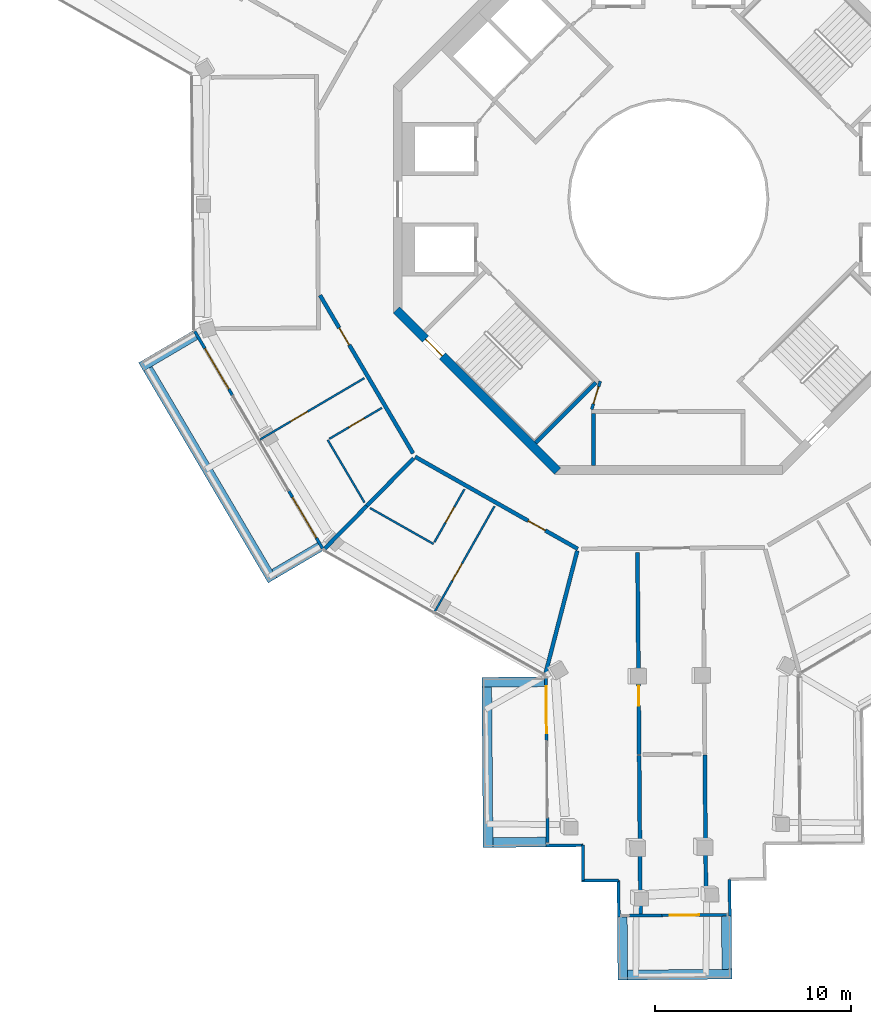
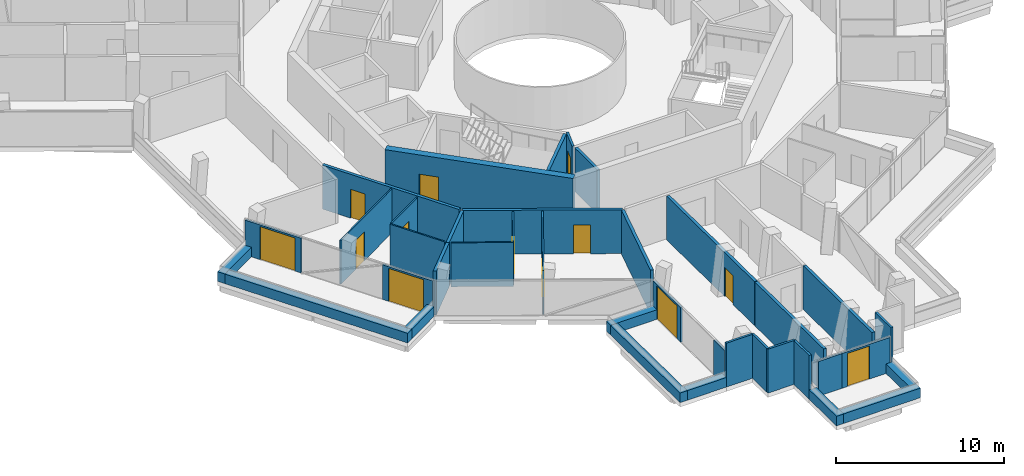
# One storey, part 18 of 26: 38 walls, 13 doors, 13 openings.
"""IFC4 building model written with IfcOpenShell, lengths in metres."""

from ifc_helpers import new_model, si_unit, direction, frame, frame_2d, origin, place, context, subcontext, project, spatial, rectangle, extrude, material, layer, layer_set, type_object, element, fill, save


model = new_model("IFC4")

# Units and contexts
model_context = context("Model", 3, precision=1e-05, world=origin(), true_north=direction((0.0, 1.0)))
body_context = subcontext(model_context, "Body", "Model", "MODEL_VIEW")
ifc_project = project(units=[si_unit("LENGTHUNIT", "METRE"), si_unit("AREAUNIT", "SQUARE_METRE"), si_unit("VOLUMEUNIT", "CUBIC_METRE"), si_unit("PLANEANGLEUNIT", "RADIAN"), si_unit("MASSUNIT", "GRAM", prefix="KILO")], contexts=[model_context])

# Site, building, storey
site_placement = place(None, origin())
site = spatial("IfcSite", under=ifc_project, at=site_placement, CompositionType="ELEMENT")
building_placement = place(site_placement, origin())
building = spatial("IfcBuilding", under=site, at=building_placement, Name="Verdalira Terraces Hotel", CompositionType="ELEMENT")
storey_placement = place(building_placement, frame((0.0, 0.0, 281.0)))
storey = spatial("IfcBuildingStorey", under=building, at=storey_placement, Name="L69", CompositionType="ELEMENT", Elevation=281.0)

# Walls
ifc_material_1 = material(Name="Concrete C40", Category="concrete")
ifc_layer_1 = layer(ifc_material_1, 0.5)
ifc_layer_set_1 = layer_set([ifc_layer_1], Name="Balcony planter trough with tree")
wall_type_1 = type_object("IfcWallType", Name="Balcony planter trough with tree", PredefinedType="SOLIDWALL", material=ifc_layer_set_1)
wall_1_placement = place(storey_placement, frame((-24.077148, -6.918945, 0.0), z_axis=(0.0, 0.0, 1.0), x_axis=(-0.861812548, -0.507226904, 0.0)))
element("IfcWall", 1, at=wall_1_placement, inside=storey, type_object=wall_type_1, Name="Balcony planter", PredefinedType="SOLIDWALL", context=body_context, shape_type="SweptSolid", body=[
    extrude(rectangle(XDim=3.198975, YDim=0.5, at=frame_2d((1.599609, 0.0))), origin(), (0.0, 0.0, 1.0), 0.699951),
])
wall_2_placement = place(storey_placement, frame((-26.491699, -8.630371, 0.0), z_axis=(0.0, 0.0, 1.0), x_axis=(0.507233502, -0.861808665, 0.0)))
element("IfcWall", 2, at=wall_2_placement, inside=storey, type_object=wall_type_1, Name="Balcony planter", PredefinedType="SOLIDWALL", context=body_context, shape_type="SweptSolid", body=[
    extrude(rectangle(XDim=12.499756, YDim=0.5, at=frame_2d((6.25, 0.0))), origin(), (0.0, 0.0, 1.0), 0.699951),
])
wall_3_placement = place(storey_placement, frame((-20.062744, -19.060547, 0.0), z_axis=(0.0, 0.0, 1.0), x_axis=(0.861843515, 0.507174285, 0.0)))
element("IfcWall", 3, at=wall_3_placement, inside=storey, type_object=wall_type_1, Name="Balcony planter", PredefinedType="SOLIDWALL", context=body_context, shape_type="SweptSolid", body=[
    extrude(rectangle(XDim=2.698975, YDim=0.5, at=frame_2d((1.349609, 0.0))), origin(), (0.0, 0.0, 1.0), 0.699951),
])
wall_4_placement = place(storey_placement, frame((-6.29541, -24.562012, 0.0), z_axis=(0.0, 0.0, 1.0), x_axis=(-0.999965401, -0.008318418, 0.0)))
element("IfcWall", 4, at=wall_4_placement, inside=storey, type_object=wall_type_1, Name="Balcony planter", PredefinedType="SOLIDWALL", context=body_context, shape_type="SweptSolid", body=[
    extrude(rectangle(XDim=3.198975, YDim=0.5, at=frame_2d((1.599609, 0.0))), origin(), (0.0, 0.0, 1.0), 0.699951),
])
wall_5_placement = place(storey_placement, frame((-9.242188, -24.83667, 0.0), z_axis=(0.0, 0.0, 1.0), x_axis=(0.008377421, -0.999964909, 0.0)))
element("IfcWall", 5, at=wall_5_placement, inside=storey, type_object=wall_type_1, Name="Balcony planter", PredefinedType="SOLIDWALL", context=body_context, shape_type="SweptSolid", body=[
    extrude(rectangle(XDim=8.159912, YDim=0.5, at=frame_2d((4.080078, 0.0))), origin(), (0.0, 0.0, 1.0), 0.699951),
])
wall_6_placement = place(storey_placement, frame((-8.926025, -32.744385, 0.0), z_axis=(0.0, 0.0, 1.0), x_axis=(0.999964617, 0.008412185, 0.0)))
element("IfcWall", 6, at=wall_6_placement, inside=storey, type_object=wall_type_1, Name="Balcony planter", PredefinedType="SOLIDWALL", context=body_context, shape_type="SweptSolid", body=[
    extrude(rectangle(XDim=2.698975, YDim=0.5, at=frame_2d((1.349609, 0.0))), origin(), (0.0, 0.0, 1.0), 0.699951),
])
wall_7_placement = place(storey_placement, frame((-2.343994, -36.540283, 0.0), z_axis=(0.0, 0.0, 1.0), x_axis=(0.008394728, -0.999964764, 0.0)))
element("IfcWall", 7, at=wall_7_placement, inside=storey, type_object=wall_type_1, Name="Balcony planter", PredefinedType="SOLIDWALL", context=body_context, shape_type="SweptSolid", body=[
    extrude(rectangle(XDim=3.198975, YDim=0.5, at=frame_2d((1.599609, 0.0))), origin(), (0.0, 0.0, 1.0), 0.699951),
])
wall_8_placement = place(storey_placement, frame((-2.069336, -39.487061, 0.0), z_axis=(0.0, 0.0, 1.0), x_axis=(0.999965241, 0.00833765, 0.0)))
element("IfcWall", 8, at=wall_8_placement, inside=storey, type_object=wall_type_1, Name="Balcony planter", PredefinedType="SOLIDWALL", context=body_context, shape_type="SweptSolid", body=[
    extrude(rectangle(XDim=5.300049, YDim=0.5, at=frame_2d((2.649902, 0.0))), origin(), (0.0, 0.0, 1.0), 0.699951),
])
wall_9_placement = place(storey_placement, frame((2.978516, -39.194824, 0.0), z_axis=(0.0, 0.0, 1.0), x_axis=(-0.008412185, 0.999964617, 0.0)))
element("IfcWall", 9, at=wall_9_placement, inside=storey, type_object=wall_type_1, Name="Balcony planter", PredefinedType="SOLIDWALL", context=body_context, shape_type="SweptSolid", body=[
    extrude(rectangle(XDim=2.698975, YDim=0.5, at=frame_2d((1.349609, 0.0))), origin(), (0.0, 0.0, 1.0), 0.699951),
])

# Wall, opening, door
ifc_material_2 = material(Name="Moisture-resistant gypsum board partition")
ifc_layer_2 = layer(ifc_material_2, 0.10009765625)
ifc_layer_set_2 = layer_set([ifc_layer_2], Name="Bathroom partition 100 mm")
wall_type_2 = type_object("IfcWallType", Name="Bathroom partition 100 mm", PredefinedType="PARTITIONING", material=ifc_layer_set_2)
wall_10_placement = place(storey_placement, frame((-15.476562, -9.109131, 0.0), z_axis=(0.0, 0.0, 1.0), x_axis=(-0.861795394, -0.507256048, 0.0)))
wall_10 = element("IfcWall", 10, at=wall_10_placement, inside=storey, type_object=wall_type_2, Name="Bathroom partition", PredefinedType="PARTITIONING", context=body_context, shape_type="SweptSolid", body=[
    extrude(rectangle(XDim=6.149902, YDim=0.100098, at=frame_2d((3.074951, 0.0))), origin(), (0.0, 0.0, 1.0), 3.189941),
])
opening_1_placement = place(wall_10_placement, frame((3.350098, 0.0, 0.0)))
opening_1 = element("IfcOpeningElement", 11, at=opening_1_placement, cuts=wall_10, Name="Opening L69-106", PredefinedType="OPENING", context=body_context, shape_type="SweptSolid", body=[
    extrude(rectangle(XDim=1.0, YDim=2.100098, at=frame_2d((0.5, 1.050049))), frame((0.0, 0.060059, 0.0), z_axis=(0.0, -1.0, 0.0), x_axis=(1.0, 0.0, 0.0)), (0.0, 0.0, 1.0), 0.120117),
])
ifc_material_3 = material(Name="Timber door", Category="wood")
door_type_1 = type_object("IfcDoorType", Name="Suite internal door 1000 x 2100", OperationType="NOTDEFINED", PredefinedType="DOOR", material=ifc_material_3)
door_1_placement = place(opening_1_placement, origin())
door_1 = element("IfcDoor", 12, at=door_1_placement, inside=storey, type_object=door_type_1, Name="Suite internal door 6902", OperationType="SINGLE_SWING_LEFT", OverallHeight=2.10009765625, OverallWidth=1.0, PredefinedType="DOOR", context=body_context, shape_type="SweptSolid", body=[
    extrude(rectangle(XDim=1.0, YDim=2.100098, at=frame_2d((0.5, 1.050049))), frame((0.0, 0.024902, 0.0), z_axis=(0.0, -1.0, 0.0), x_axis=(1.0, 0.0, 0.0)), (0.0, 0.0, 1.0), 0.050049),
])
fill(opening_1, door_1)

# Wall
wall_11_placement = place(storey_placement, frame((-17.342529, -12.247559, 0.0), z_axis=(0.0, 0.0, 1.0), x_axis=(0.507256305, -0.861795243, 0.0)))
element("IfcWall", 13, at=wall_11_placement, inside=storey, type_object=wall_type_2, Name="Bathroom partition", PredefinedType="PARTITIONING", context=body_context, shape_type="SweptSolid", body=[
    extrude(rectangle(XDim=3.704102, YDim=0.100098, at=frame_2d((1.852051, 0.0))), origin(), (0.0, 0.0, 1.0), 3.189941),
])

# Wall, opening, door
wall_12_placement = place(storey_placement, frame((-14.584717, -10.624512, 0.0), z_axis=(0.0, 0.0, 1.0), x_axis=(-0.861798542, -0.5072507, 0.0)))
wall_12 = element("IfcWall", 14, at=wall_12_placement, inside=storey, type_object=wall_type_2, Name="Bathroom partition", PredefinedType="PARTITIONING", context=body_context, shape_type="SweptSolid", body=[
    extrude(rectangle(XDim=3.100098, YDim=0.100098, at=frame_2d((1.550049, 0.0))), origin(), (0.0, 0.0, 1.0), 3.189941),
])
opening_2_placement = place(wall_12_placement, frame((1.050049, 0.0, 0.0)))
opening_2 = element("IfcOpeningElement", 15, at=opening_2_placement, cuts=wall_12, Name="Opening L69-107", PredefinedType="OPENING", context=body_context, shape_type="SweptSolid", body=[
    extrude(rectangle(XDim=0.899902, YDim=2.100098, at=frame_2d((0.449951, 1.050049))), frame((0.0, 0.060059, 0.0), z_axis=(0.0, -1.0, 0.0), x_axis=(1.0, 0.0, 0.0)), (0.0, 0.0, 1.0), 0.120117),
])
ifc_material_4 = material(Name="Timber door", Category="wood")
door_type_2 = type_object("IfcDoorType", Name="Bathroom door 900 x 2100", OperationType="NOTDEFINED", PredefinedType="DOOR", material=ifc_material_4)
door_2_placement = place(opening_2_placement, origin())
door_2 = element("IfcDoor", 16, at=door_2_placement, inside=storey, type_object=door_type_2, Name="Bathroom door 6902", OperationType="SINGLE_SWING_RIGHT", OverallHeight=2.10009765625, OverallWidth=0.89990234375, PredefinedType="DOOR", context=body_context, shape_type="SweptSolid", body=[
    extrude(rectangle(XDim=0.899902, YDim=2.100098, at=frame_2d((0.449951, 1.050049))), frame((0.0, 0.024902, 0.0), z_axis=(0.0, -1.0, 0.0), x_axis=(1.0, 0.0, 0.0)), (0.0, 0.0, 1.0), 0.050049),
])
fill(opening_2, door_2)

# Wall
wall_13_placement = place(storey_placement, frame((-15.18457, -15.716797, 0.0), z_axis=(0.0, 0.0, 1.0), x_axis=(0.870171703, -0.492748625, 0.0)))
element("IfcWall", 17, at=wall_13_placement, inside=storey, type_object=wall_type_2, Name="Bathroom partition", PredefinedType="PARTITIONING", context=body_context, shape_type="SweptSolid", body=[
    extrude(rectangle(XDim=3.710938, YDim=0.100098, at=frame_2d((1.855469, 0.0))), origin(), (0.0, 0.0, 1.0), 3.189941),
])

# Wall, opening, door
wall_14_placement = place(storey_placement, frame((-11.906006, -17.458252, 0.0), z_axis=(0.0, 0.0, 1.0), x_axis=(0.492708506, 0.870194419, 0.0)))
wall_14 = element("IfcWall", 18, at=wall_14_placement, inside=storey, type_object=wall_type_2, Name="Bathroom partition", PredefinedType="PARTITIONING", context=body_context, shape_type="SweptSolid", body=[
    extrude(rectangle(XDim=3.099854, YDim=0.100098, at=frame_2d((1.549805, 0.0))), origin(), (0.0, 0.0, 1.0), 3.189941),
])
opening_3_placement = place(wall_14_placement, frame((1.149902, 0.0, 0.0)))
opening_3 = element("IfcOpeningElement", 19, at=opening_3_placement, cuts=wall_14, Name="Opening L69-110", PredefinedType="OPENING", context=body_context, shape_type="SweptSolid", body=[
    extrude(rectangle(XDim=0.899902, YDim=2.100098, at=frame_2d((0.449951, 1.050049))), frame((0.0, 0.060059, 0.0), z_axis=(0.0, -1.0, 0.0), x_axis=(1.0, 0.0, 0.0)), (0.0, 0.0, 1.0), 0.120117),
])
door_3_placement = place(opening_3_placement, origin())
door_3 = element("IfcDoor", 20, at=door_3_placement, inside=storey, type_object=door_type_2, Name="Bathroom door 6903", OperationType="SINGLE_SWING_LEFT", OverallHeight=2.10009765625, OverallWidth=0.89990234375, PredefinedType="DOOR", context=body_context, shape_type="SweptSolid", body=[
    extrude(rectangle(XDim=0.899902, YDim=2.100098, at=frame_2d((0.449951, 1.050049))), frame((0.0, 0.024902, 0.0), z_axis=(0.0, -1.0, 0.0), x_axis=(1.0, 0.0, 0.0)), (0.0, 0.0, 1.0), 0.050049),
])
fill(opening_3, door_3)

wall_15_placement = place(storey_placement, frame((-11.878906, -20.97876, 0.0), z_axis=(0.0, 0.0, 1.0), x_axis=(0.492715069, 0.870190704, 0.0)))
wall_15 = element("IfcWall", 21, at=wall_15_placement, inside=storey, type_object=wall_type_2, Name="Bathroom partition", PredefinedType="PARTITIONING", context=body_context, shape_type="SweptSolid", body=[
    extrude(rectangle(XDim=6.150146, YDim=0.100098, at=frame_2d((3.075195, 0.0))), origin(), (0.0, 0.0, 1.0), 3.189941),
])
opening_4_placement = place(wall_15_placement, frame((1.800049, 0.0, 0.0)))
opening_4 = element("IfcOpeningElement", 22, at=opening_4_placement, cuts=wall_15, Name="Opening L69-109", PredefinedType="OPENING", context=body_context, shape_type="SweptSolid", body=[
    extrude(rectangle(XDim=1.0, YDim=2.100098, at=frame_2d((0.5, 1.050049))), frame((0.0, 0.060059, 0.0), z_axis=(0.0, -1.0, 0.0), x_axis=(1.0, 0.0, 0.0)), (0.0, 0.0, 1.0), 0.120117),
])
door_4_placement = place(opening_4_placement, origin())
door_4 = element("IfcDoor", 23, at=door_4_placement, inside=storey, type_object=door_type_1, Name="Suite internal door 6903", OperationType="SINGLE_SWING_LEFT", OverallHeight=2.10009765625, OverallWidth=1.0, PredefinedType="DOOR", context=body_context, shape_type="SweptSolid", body=[
    extrude(rectangle(XDim=1.0, YDim=2.100098, at=frame_2d((0.5, 1.050049))), frame((0.0, 0.024902, 0.0), z_axis=(0.0, -1.0, 0.0), x_axis=(1.0, 0.0, 0.0)), (0.0, 0.0, 1.0), 0.050049),
])
fill(opening_4, door_4)

# Walls
ifc_material_5 = material(Name="Concrete C50", Category="concrete")
ifc_layer_3 = layer(ifc_material_5, 0.199951171875)
ifc_layer_set_3 = layer_set([ifc_layer_3], Name="Core RC wall 200 C50")
wall_type_3 = type_object("IfcWallType", Name="Core RC wall 200 C50", PredefinedType="SOLIDWALL", material=ifc_layer_set_3)
wall_16_placement = place(storey_placement, frame((-3.800049, -10.899902, 0.0), z_axis=(0.0, 0.0, 1.0), x_axis=(0.0, -1.0, 0.0)))
element("IfcWall", 24, at=wall_16_placement, inside=storey, type_object=wall_type_3, Name="L69 store side wall", PredefinedType="SOLIDWALL", context=body_context, shape_type="SweptSolid", body=[
    extrude(rectangle(XDim=2.650146, YDim=0.199951, at=frame_2d((1.325195, 0.0))), origin(), (0.0, 0.0, 1.0), 3.189941),
])
wall_17_placement = place(storey_placement, frame((-3.677002, -9.33374, 0.0), z_axis=(0.0, 0.0, 1.0), x_axis=(-0.707106781, -0.707106781, 0.0)))
element("IfcWall", 25, at=wall_17_placement, inside=storey, type_object=wall_type_3, Name="L69 stair ST2 end wall 2", PredefinedType="SOLIDWALL", context=body_context, shape_type="SweptSolid", body=[
    extrude(rectangle(XDim=4.350098, YDim=0.199951, at=frame_2d((2.175049, 0.0))), origin(), (0.0, 0.0, 1.0), 3.189941),
])

# Wall, opening, door
ifc_material_6 = material(Name="Gypsum board partition")
ifc_layer_4 = layer(ifc_material_6, 0.14990234375)
ifc_layer_set_4 = layer_set([ifc_layer_4], Name="Core partition 150 mm")
wall_type_4 = type_object("IfcWallType", Name="Core partition 150 mm", PredefinedType="PARTITIONING", material=ifc_layer_set_4)
wall_18_placement = place(storey_placement, frame((-3.464844, -9.263184, 0.0), z_axis=(0.0, 0.0, 1.0), x_axis=(-0.289808785, -0.957084567, 0.0)))
wall_18 = element("IfcWall", 26, at=wall_18_placement, inside=storey, type_object=wall_type_4, Name="Room partition L69", PredefinedType="PARTITIONING", context=body_context, shape_type="SweptSolid", body=[
    extrude(rectangle(XDim=1.501221, YDim=0.149902, at=frame_2d((0.750488, 0.0))), origin(), (0.0, 0.0, 1.0), 3.189941),
])
opening_5_placement = place(wall_18_placement, frame((0.300781, 0.0, 0.0)))
opening_5 = element("IfcOpeningElement", 27, at=opening_5_placement, cuts=wall_18, Name="Opening L69-822", PredefinedType="OPENING", context=body_context, shape_type="SweptSolid", body=[
    extrude(rectangle(XDim=0.899902, YDim=2.100098, at=frame_2d((0.449951, 1.050049))), frame((0.0, 0.084961, 0.0), z_axis=(0.0, -1.0, 0.0), x_axis=(1.0, 0.0, 0.0)), (0.0, 0.0, 1.0), 0.169922),
])
ifc_material_7 = material(Name="Steel fire door", Category="steel")
door_type_3 = type_object("IfcDoorType", Name="Core room door 900 x 2100", OperationType="NOTDEFINED", PredefinedType="DOOR", material=ifc_material_7)
door_5_placement = place(opening_5_placement, origin())
door_5 = element("IfcDoor", 28, at=door_5_placement, inside=storey, type_object=door_type_3, Name="Door L69 room5", OperationType="SINGLE_SWING_LEFT", OverallHeight=2.10009765625, OverallWidth=0.89990234375, PredefinedType="DOOR", context=body_context, shape_type="SweptSolid", body=[
    extrude(rectangle(XDim=0.899902, YDim=2.100098, at=frame_2d((0.449951, 1.050049))), frame((0.0, 0.024902, 0.0), z_axis=(0.0, -1.0, 0.0), x_axis=(1.0, 0.0, 0.0)), (0.0, 0.0, 1.0), 0.050049),
])
fill(opening_5, door_5)

ifc_material_8 = material(Name="Concrete C50", Category="concrete")
ifc_layer_5 = layer(ifc_material_8, 0.449951171875)
ifc_layer_set_5 = layer_set([ifc_layer_5], Name="Core wall 450 C50")
wall_type_5 = type_object("IfcWallType", Name="Core wall 450 C50", PredefinedType="SHEAR", material=ifc_layer_set_5)
wall_19_placement = place(storey_placement, frame((-13.84082, -5.639893, 0.0), z_axis=(0.0, 0.0, 1.0), x_axis=(0.707106781, -0.707106781, 0.0)))
wall_19 = element("IfcWall", 29, at=wall_19_placement, inside=storey, type_object=wall_type_5, Name="Core wall CW-L69-6", PredefinedType="SHEAR", context=body_context, shape_type="SweptSolid", body=[
    extrude(rectangle(XDim=11.5979, YDim=0.449951, at=frame_2d((5.798828, 0.0))), origin(), (0.0, 0.0, 1.0), 3.5),
])
opening_6_placement = place(wall_19_placement, frame((2.099121, 0.0, 0.0)))
opening_6 = element("IfcOpeningElement", 30, at=opening_6_placement, cuts=wall_19, Name="Opening L69-817", PredefinedType="OPENING", context=body_context, shape_type="SweptSolid", body=[
    extrude(rectangle(XDim=1.199951, YDim=2.100098, at=frame_2d((0.600098, 1.050049))), frame((0.0, 0.234863, 0.0), z_axis=(0.0, -1.0, 0.0), x_axis=(1.0, 0.0, 0.0)), (0.0, 0.0, 1.0), 0.469971),
])
ifc_material_9 = material(Name="Steel fire door", Category="steel")
door_type_4 = type_object("IfcDoorType", Name="Stair door 1200 x 2100", OperationType="NOTDEFINED", PredefinedType="DOOR", material=ifc_material_9)
door_6_placement = place(opening_6_placement, origin())
door_6 = element("IfcDoor", 31, at=door_6_placement, inside=storey, type_object=door_type_4, Name="Stair exit door ST2 L69", OperationType="SINGLE_SWING_LEFT", OverallHeight=2.10009765625, OverallWidth=1.199951171875, PredefinedType="DOOR", context=body_context, shape_type="SweptSolid", body=[
    extrude(rectangle(XDim=1.199951, YDim=2.100098, at=frame_2d((0.600098, 1.050049))), frame((0.0, 0.024902, 0.0), z_axis=(0.0, -1.0, 0.0), x_axis=(1.0, 0.0, 0.0)), (0.0, 0.0, 1.0), 0.050049),
])
fill(opening_6, door_6)

# Walls
ifc_material_10 = material(Name="Fire-rated gypsum board wall")
ifc_layer_6 = layer(ifc_material_10, 0.199951171875)
ifc_layer_set_6 = layer_set([ifc_layer_6], Name="Demising wall 200 mm")
wall_type_6 = type_object("IfcWallType", Name="Demising wall 200 mm", PredefinedType="SOLIDWALL", material=ifc_layer_set_6)
wall_20_placement = place(storey_placement, frame((-15.358643, -15.618164, 0.0), z_axis=(0.0, 0.0, 1.0), x_axis=(-0.701177139, -0.71298711, 0.0)))
element("IfcWall", 32, at=wall_20_placement, inside=storey, type_object=wall_type_6, Name="Demising wall", PredefinedType="SOLIDWALL", context=body_context, shape_type="SweptSolid", body=[
    extrude(rectangle(XDim=3.05957, YDim=0.199951, at=frame_2d((1.529785, 0.0))), origin(), (0.0, 0.0, 1.0), 3.189941),
])
wall_21_placement = place(storey_placement, frame((-12.963135, -13.182373, 0.0), z_axis=(0.0, 0.0, 1.0), x_axis=(-0.701186576, -0.71297783, 0.0)))
element("IfcWall", 33, at=wall_21_placement, inside=storey, type_object=wall_type_6, Name="Demising wall", PredefinedType="SOLIDWALL", context=body_context, shape_type="SweptSolid", body=[
    extrude(rectangle(XDim=3.41626, YDim=0.199951, at=frame_2d((1.708008, 0.0))), origin(), (0.0, 0.0, 1.0), 3.189941),
])
wall_22_placement = place(storey_placement, frame((-6.258789, -24.166748, 0.0), z_axis=(0.0, 0.0, 1.0), x_axis=(0.250705712, 0.968063348, 0.0)))
element("IfcWall", 34, at=wall_22_placement, inside=storey, type_object=wall_type_6, Name="Demising wall", PredefinedType="SOLIDWALL", context=body_context, shape_type="SweptSolid", body=[
    extrude(rectangle(XDim=6.47583, YDim=0.199951, at=frame_2d((3.237793, 0.0))), origin(), (0.0, 0.0, 1.0), 3.189941),
])

# Wall, opening, door
wall_23_placement = place(storey_placement, frame((-1.484863, -28.273682, 0.0), z_axis=(0.0, 0.0, 1.0), x_axis=(-0.008389324, 0.999964809, 0.0)))
wall_23 = element("IfcWall", 35, at=wall_23_placement, inside=storey, type_object=wall_type_6, Name="Demising wall", PredefinedType="SOLIDWALL", context=body_context, shape_type="SweptSolid", body=[
    extrude(rectangle(XDim=10.301758, YDim=0.199951, at=frame_2d((5.150879, 0.0))), origin(), (0.0, 0.0, 1.0), 3.189941),
])
opening_7_placement = place(wall_23_placement, frame((2.5, 0.0, 0.0)))
opening_7 = element("IfcOpeningElement", 36, at=opening_7_placement, cuts=wall_23, Name="Opening L69-112", PredefinedType="OPENING", context=body_context, shape_type="SweptSolid", body=[
    extrude(rectangle(XDim=1.0, YDim=2.100098, at=frame_2d((0.5, 1.050049))), frame((0.0, 0.109863, 0.0), z_axis=(0.0, -1.0, 0.0), x_axis=(1.0, 0.0, 0.0)), (0.0, 0.0, 1.0), 0.219971),
])
ifc_material_11 = material(Name="Timber fire door", Category="wood")
door_type_5 = type_object("IfcDoorType", Name="Public room door 1000 x 2100", OperationType="NOTDEFINED", PredefinedType="DOOR", material=ifc_material_11)
door_7_placement = place(opening_7_placement, origin())
door_7 = element("IfcDoor", 37, at=door_7_placement, inside=storey, type_object=door_type_5, Name="Public room door 6904", OperationType="SINGLE_SWING_LEFT", OverallHeight=2.10009765625, OverallWidth=1.0, PredefinedType="DOOR", context=body_context, shape_type="SweptSolid", body=[
    extrude(rectangle(XDim=1.0, YDim=2.100098, at=frame_2d((0.5, 1.050049))), frame((0.0, 0.024902, 0.0), z_axis=(0.0, -1.0, 0.0), x_axis=(1.0, 0.0, 0.0)), (0.0, 0.0, 1.0), 0.050049),
])
fill(opening_7, door_7)

# Walls
for number, where, z_axis, x_axis, name in (
    (38, (-1.484619, -28.319824, 0.0), (0.0, 0.0, 1.0), (0.008388306, -0.999964818, 0.0), "Demising wall"),
    (39, (1.924072, -36.353516, 0.0), (0.0, 0.0, 1.0), (-0.008388306, 0.999964818, 0.0), "Demising wall"),
):
    element("IfcWall", number, at=place(storey_placement, frame(where, z_axis=z_axis, x_axis=x_axis)), inside=storey, type_object=wall_type_6, Name=name, PredefinedType="SOLIDWALL", context=body_context, shape_type="SweptSolid", body=[
        extrude(rectangle(XDim=8.062012, YDim=0.199951, at=frame_2d((4.031006, 0.0))), origin(), (0.0, 0.0, 1.0), 3.189941),
    ])

# Wall, opening, door
ifc_material_12 = material(Name="Fire-rated gypsum board wall")
ifc_layer_7 = layer(ifc_material_12, 0.199951171875)
ifc_layer_set_7 = layer_set([ifc_layer_7], Name="Guest corridor wall 200 mm")
wall_type_7 = type_object("IfcWallType", Name="Guest corridor wall 200 mm", PredefinedType="SOLIDWALL", material=ifc_layer_set_7)
wall_24_placement = place(storey_placement, frame((-12.992188, -12.936035, 0.0), z_axis=(0.0, 0.0, 1.0), x_axis=(-0.507232662, 0.861809159, 0.0)))
wall_24 = element("IfcWall", 40, at=wall_24_placement, inside=storey, type_object=wall_type_7, Name="Guest corridor wall", PredefinedType="SOLIDWALL", context=body_context, shape_type="SweptSolid", body=[
    extrude(rectangle(XDim=9.33667, YDim=0.199951, at=frame_2d((4.668457, 0.0))), origin(), (0.0, 0.0, 1.0), 3.189941),
])
opening_8_placement = place(wall_24_placement, frame((6.408203, 0.0, 0.0)))
opening_8 = element("IfcOpeningElement", 41, at=opening_8_placement, cuts=wall_24, Name="Opening L69-105", PredefinedType="OPENING", context=body_context, shape_type="SweptSolid", body=[
    extrude(rectangle(XDim=1.0, YDim=2.100098, at=frame_2d((0.5, 1.050049))), frame((0.0, 0.109863, 0.0), z_axis=(0.0, -1.0, 0.0), x_axis=(1.0, 0.0, 0.0)), (0.0, 0.0, 1.0), 0.219971),
])
ifc_material_13 = material(Name="Timber fire door", Category="wood")
door_type_6 = type_object("IfcDoorType", Name="Guest entry door 1000 x 2100", OperationType="NOTDEFINED", PredefinedType="DOOR", material=ifc_material_13)
door_8_placement = place(opening_8_placement, origin())
door_8 = element("IfcDoor", 42, at=door_8_placement, inside=storey, type_object=door_type_6, Name="Guest entry door 6902", OperationType="SINGLE_SWING_LEFT", OverallHeight=2.10009765625, OverallWidth=1.0, PredefinedType="DOOR", context=body_context, shape_type="SweptSolid", body=[
    extrude(rectangle(XDim=1.0, YDim=2.100098, at=frame_2d((0.5, 1.050049))), frame((0.0, 0.024902, 0.0), z_axis=(0.0, -1.0, 0.0), x_axis=(1.0, 0.0, 0.0)), (0.0, 0.0, 1.0), 0.050049),
])
fill(opening_8, door_8)

wall_25_placement = place(storey_placement, frame((-4.609375, -17.797607, 0.0), z_axis=(0.0, 0.0, 1.0), x_axis=(-0.870179862, 0.492734216, 0.0)))
wall_25 = element("IfcWall", 43, at=wall_25_placement, inside=storey, type_object=wall_type_7, Name="Guest corridor wall", PredefinedType="SOLIDWALL", context=body_context, shape_type="SweptSolid", body=[
    extrude(rectangle(XDim=9.516602, YDim=0.199951, at=frame_2d((4.758301, 0.0))), origin(), (0.0, 0.0, 1.0), 3.189941),
])
opening_9_placement = place(wall_25_placement, frame((1.899902, 0.0, 0.0)))
opening_9 = element("IfcOpeningElement", 44, at=opening_9_placement, cuts=wall_25, Name="Opening L69-108", PredefinedType="OPENING", context=body_context, shape_type="SweptSolid", body=[
    extrude(rectangle(XDim=1.0, YDim=2.100098, at=frame_2d((0.5, 1.050049))), frame((0.0, 0.109863, 0.0), z_axis=(0.0, -1.0, 0.0), x_axis=(1.0, 0.0, 0.0)), (0.0, 0.0, 1.0), 0.219971),
])
door_9_placement = place(opening_9_placement, origin())
door_9 = element("IfcDoor", 45, at=door_9_placement, inside=storey, type_object=door_type_6, Name="Guest entry door 6903", OperationType="SINGLE_SWING_LEFT", OverallHeight=2.10009765625, OverallWidth=1.0, PredefinedType="DOOR", context=body_context, shape_type="SweptSolid", body=[
    extrude(rectangle(XDim=1.0, YDim=2.100098, at=frame_2d((0.5, 1.050049))), frame((0.0, 0.024902, 0.0), z_axis=(0.0, -1.0, 0.0), x_axis=(1.0, 0.0, 0.0)), (0.0, 0.0, 1.0), 0.050049),
])
fill(opening_9, door_9)

# Walls
ifc_material_14 = material(Name="Terracotta cladding", Category="masonry")
ifc_layer_8 = layer(ifc_material_14, 0.14990234375)
ifc_layer_set_8 = layer_set([ifc_layer_8], Name="Terracotta clad wall 150")
wall_type_8 = type_object("IfcWallType", Name="Terracotta clad wall 150", PredefinedType="SOLIDWALL", material=ifc_layer_set_8)
wall_26_placement = place(storey_placement, frame((-6.224609, -32.896729, 0.0), z_axis=(0.0, 0.0, 1.0), x_axis=(0.99996528, 0.008333044, 0.0)))
element("IfcWall", 46, at=wall_26_placement, inside=storey, type_object=wall_type_8, Name="Terracotta cladding wall", PredefinedType="SOLIDWALL", context=body_context, shape_type="SweptSolid", body=[
    extrude(rectangle(XDim=1.875, YDim=0.149902, at=frame_2d((0.9375, 0.0))), origin(), (0.0, 0.0, 1.0), 3.189941),
])
wall_27_placement = place(storey_placement, frame((-4.349609, -32.881104, 0.0), z_axis=(0.0, 0.0, 1.0), x_axis=(0.008274269, -0.999965768, 0.0)))
element("IfcWall", 47, at=wall_27_placement, inside=storey, type_object=wall_type_8, Name="Terracotta cladding wall", PredefinedType="SOLIDWALL", context=body_context, shape_type="SweptSolid", body=[
    extrude(rectangle(XDim=1.799805, YDim=0.149902, at=frame_2d((0.899902, 0.0))), origin(), (0.0, 0.0, 1.0), 3.189941),
])
for number, where, z_axis, x_axis, name in (
    (48, (-4.409668, -34.681641, 0.0), (0.0, 0.0, 1.0), (0.999964186, 0.008463239, 0.0), "Terracotta cladding wall"),
    (49, (-2.534668, -34.665771, 0.0), (0.0, 0.0, 1.0), (0.008333044, -0.99996528, 0.0), "Terracotta cladding wall"),
):
    element("IfcWall", number, at=place(storey_placement, frame(where, z_axis=z_axis, x_axis=x_axis)), inside=storey, type_object=wall_type_8, Name=name, PredefinedType="SOLIDWALL", context=body_context, shape_type="SweptSolid", body=[
        extrude(rectangle(XDim=1.875, YDim=0.149902, at=frame_2d((0.9375, 0.0))), origin(), (0.0, 0.0, 1.0), 3.189941),
    ])
wall_28_placement = place(storey_placement, frame((3.130859, -36.493408, 0.0), z_axis=(0.0, 0.0, 1.0), x_axis=(-0.008334129, 0.999965271, 0.0)))
element("IfcWall", 50, at=wall_28_placement, inside=storey, type_object=wall_type_8, Name="Terracotta cladding wall", PredefinedType="SOLIDWALL", context=body_context, shape_type="SweptSolid", body=[
    extrude(rectangle(XDim=1.874756, YDim=0.149902, at=frame_2d((0.9375, 0.0))), origin(), (0.0, 0.0, 1.0), 3.189941),
])
ifc_material_15 = material(Name="Terracotta cladding", Category="masonry")
ifc_layer_9 = layer(ifc_material_15, 0.14990234375)
ifc_layer_set_9 = layer_set([ifc_layer_9], Name="Terracotta column pier 150")
wall_type_9 = type_object("IfcWallType", Name="Terracotta column pier 150", PredefinedType="SOLIDWALL", material=ifc_layer_set_9)
wall_29_placement = place(storey_placement, frame((-6.161377, -31.481201, 0.0), z_axis=(0.0, 0.0, 1.0), x_axis=(0.008265769, -0.999965838, 0.0)))
element("IfcWall", 51, at=wall_29_placement, inside=storey, type_object=wall_type_9, Name="Terracotta column pier", PredefinedType="SOLIDWALL", context=body_context, shape_type="SweptSolid", body=[
    extrude(rectangle(XDim=1.27002, YDim=0.149902, at=frame_2d((0.63501, 0.0))), origin(), (0.0, 0.0, 1.0), 2.524902),
])
wall_30_placement = place(storey_placement, frame((-1.9646, -36.461182, 0.0), z_axis=(0.0, 0.0, 1.0), x_axis=(0.99996482, 0.008387961, 0.0)))
element("IfcWall", 52, at=wall_30_placement, inside=storey, type_object=wall_type_9, Name="Terracotta column pier", PredefinedType="SOLIDWALL", context=body_context, shape_type="SweptSolid", body=[
    extrude(rectangle(XDim=1.629883, YDim=0.149902, at=frame_2d((0.814941, 0.0))), origin(), (0.0, 0.0, 1.0), 2.524902),
])

# Wall, opening, door
ifc_material_16 = material(Name="Terracotta cladding", Category="masonry")
ifc_layer_10 = layer(ifc_material_16, 0.14990234375)
ifc_layer_set_10 = layer_set([ifc_layer_10], Name="Terracotta door pier 150")
wall_type_10 = type_object("IfcWallType", Name="Terracotta door pier 150", PredefinedType="SOLIDWALL", material=ifc_layer_set_10)
wall_31_placement = place(storey_placement, frame((-24.10791, -6.716553, 0.0), z_axis=(0.0, 0.0, 1.0), x_axis=(0.507234784, -0.86180791, 0.0)))
wall_31 = element("IfcWall", 53, at=wall_31_placement, inside=storey, type_object=wall_type_10, Name="Terracotta door pier", PredefinedType="SOLIDWALL", context=body_context, shape_type="SweptSolid", body=[
    extrude(rectangle(XDim=3.826904, YDim=0.149902, at=frame_2d((1.913574, 0.0))), origin(), (0.0, 0.0, 1.0), 2.524902),
])
opening_10_placement = place(wall_31_placement, frame((1.026855, 0.0, 0.0)))
opening_10 = element("IfcOpeningElement", 54, at=opening_10_placement, cuts=wall_31, Name="Opening L69-B01", PredefinedType="OPENING", context=body_context, shape_type="SweptSolid", body=[
    extrude(rectangle(XDim=2.399902, YDim=2.399902, at=frame_2d((1.199951, 1.199951))), frame((0.0, 0.084961, 0.0), z_axis=(0.0, -1.0, 0.0), x_axis=(1.0, 0.0, 0.0)), (0.0, 0.0, 1.0), 0.169922),
])
ifc_material_17 = material(Name="Clear glass", Category="glass")
door_type_7 = type_object("IfcDoorType", Name="Balcony sliding door 2400x2400", OperationType="NOTDEFINED", PredefinedType="DOOR", material=ifc_material_17)
door_10_placement = place(opening_10_placement, origin())
door_10 = element("IfcDoor", 55, at=door_10_placement, inside=storey, type_object=door_type_7, Name="Balcony sliding door", OperationType="SLIDING_TO_LEFT", OverallHeight=2.39990234375, OverallWidth=2.39990234375, PredefinedType="DOOR", context=body_context, shape_type="SweptSolid", body=[
    extrude(rectangle(XDim=2.399902, YDim=2.399902, at=frame_2d((1.199951, 1.199951))), frame((0.0, 0.024902, 0.0), z_axis=(0.0, -1.0, 0.0), x_axis=(1.0, 0.0, 0.0)), (0.0, 0.0, 1.0), 0.050049),
])
fill(opening_10, door_10)

wall_32_placement = place(storey_placement, frame((-19.333252, -14.828857, 0.0), z_axis=(0.0, 0.0, 1.0), x_axis=(0.507216275, -0.861818804, 0.0)))
wall_32 = element("IfcWall", 56, at=wall_32_placement, inside=storey, type_object=wall_type_10, Name="Terracotta door pier", PredefinedType="SOLIDWALL", context=body_context, shape_type="SweptSolid", body=[
    extrude(rectangle(XDim=3.426514, YDim=0.149902, at=frame_2d((1.713379, 0.0))), origin(), (0.0, 0.0, 1.0), 2.524902),
])
opening_11_placement = place(wall_32_placement, frame((0.399902, 0.0, 0.0)))
opening_11 = element("IfcOpeningElement", 57, at=opening_11_placement, cuts=wall_32, Name="Opening L69-B02", PredefinedType="OPENING", context=body_context, shape_type="SweptSolid", body=[
    extrude(rectangle(XDim=2.399902, YDim=2.399902, at=frame_2d((1.199951, 1.199951))), frame((0.0, 0.084961, 0.0), z_axis=(0.0, -1.0, 0.0), x_axis=(1.0, 0.0, 0.0)), (0.0, 0.0, 1.0), 0.169922),
])
door_11_placement = place(opening_11_placement, origin())
door_11 = element("IfcDoor", 58, at=door_11_placement, inside=storey, type_object=door_type_7, Name="Balcony sliding door", OperationType="SLIDING_TO_RIGHT", OverallHeight=2.39990234375, OverallWidth=2.39990234375, PredefinedType="DOOR", context=body_context, shape_type="SweptSolid", body=[
    extrude(rectangle(XDim=2.399902, YDim=2.399902, at=frame_2d((1.199951, 1.199951))), frame((0.0, 0.024902, 0.0), z_axis=(0.0, -1.0, 0.0), x_axis=(1.0, 0.0, 0.0)), (0.0, 0.0, 1.0), 0.050049),
])
fill(opening_11, door_11)

wall_33_placement = place(storey_placement, frame((-6.220947, -24.381348, 0.0), z_axis=(0.0, 0.0, 1.0), x_axis=(0.008392167, -0.999964785, 0.0)))
wall_33 = element("IfcWall", 59, at=wall_33_placement, inside=storey, type_object=wall_type_10, Name="Terracotta door pier", PredefinedType="SOLIDWALL", context=body_context, shape_type="SweptSolid", body=[
    extrude(rectangle(XDim=3.199951, YDim=0.149902, at=frame_2d((1.600098, 0.0))), origin(), (0.0, 0.0, 1.0), 2.524902),
])
opening_12_placement = place(wall_33_placement, frame((0.399902, 0.0, 0.0)))
opening_12 = element("IfcOpeningElement", 60, at=opening_12_placement, cuts=wall_33, Name="Opening L69-B03", PredefinedType="OPENING", context=body_context, shape_type="SweptSolid", body=[
    extrude(rectangle(XDim=2.399902, YDim=2.399902, at=frame_2d((1.199951, 1.199951))), frame((0.0, 0.084961, 0.0), z_axis=(0.0, -1.0, 0.0), x_axis=(1.0, 0.0, 0.0)), (0.0, 0.0, 1.0), 0.169922),
])
door_12_placement = place(opening_12_placement, origin())
door_12 = element("IfcDoor", 61, at=door_12_placement, inside=storey, type_object=door_type_7, Name="Balcony sliding door", OperationType="SLIDING_TO_LEFT", OverallHeight=2.39990234375, OverallWidth=2.39990234375, PredefinedType="DOOR", context=body_context, shape_type="SweptSolid", body=[
    extrude(rectangle(XDim=2.399902, YDim=2.399902, at=frame_2d((1.199951, 1.199951))), frame((0.0, 0.024902, 0.0), z_axis=(0.0, -1.0, 0.0), x_axis=(1.0, 0.0, 0.0)), (0.0, 0.0, 1.0), 0.050049),
])
fill(opening_12, door_12)

wall_34_placement = place(storey_placement, frame((-0.334717, -36.44751, 0.0), z_axis=(0.0, 0.0, 1.0), x_axis=(0.999964647, 0.008408643, 0.0)))
wall_34 = element("IfcWall", 62, at=wall_34_placement, inside=storey, type_object=wall_type_10, Name="Terracotta door pier", PredefinedType="SOLIDWALL", context=body_context, shape_type="SweptSolid", body=[
    extrude(rectangle(XDim=3.309814, YDim=0.149902, at=frame_2d((1.654785, 0.0))), origin(), (0.0, 0.0, 1.0), 2.524902),
])
opening_13_placement = place(wall_34_placement, frame((0.399902, 0.0, 0.0)))
opening_13 = element("IfcOpeningElement", 63, at=opening_13_placement, cuts=wall_34, Name="Opening L69-B04", PredefinedType="OPENING", context=body_context, shape_type="SweptSolid", body=[
    extrude(rectangle(XDim=1.5, YDim=2.399902, at=frame_2d((0.75, 1.199951))), frame((0.0, 0.084961, 0.0), z_axis=(0.0, -1.0, 0.0), x_axis=(1.0, 0.0, 0.0)), (0.0, 0.0, 1.0), 0.169922),
])
ifc_material_18 = material(Name="Clear glass", Category="glass")
door_type_8 = type_object("IfcDoorType", Name="Balcony sliding door 1500x2400", OperationType="NOTDEFINED", PredefinedType="DOOR", material=ifc_material_18)
door_13_placement = place(opening_13_placement, origin())
door_13 = element("IfcDoor", 64, at=door_13_placement, inside=storey, type_object=door_type_8, Name="Balcony sliding door", OperationType="SLIDING_TO_RIGHT", OverallHeight=2.39990234375, OverallWidth=1.5, PredefinedType="DOOR", context=body_context, shape_type="SweptSolid", body=[
    extrude(rectangle(XDim=1.5, YDim=2.399902, at=frame_2d((0.75, 1.199951))), frame((0.0, 0.024902, 0.0), z_axis=(0.0, -1.0, 0.0), x_axis=(1.0, 0.0, 0.0)), (0.0, 0.0, 1.0), 0.050049),
])
fill(opening_13, door_13)

save(model, "model.ifc")
